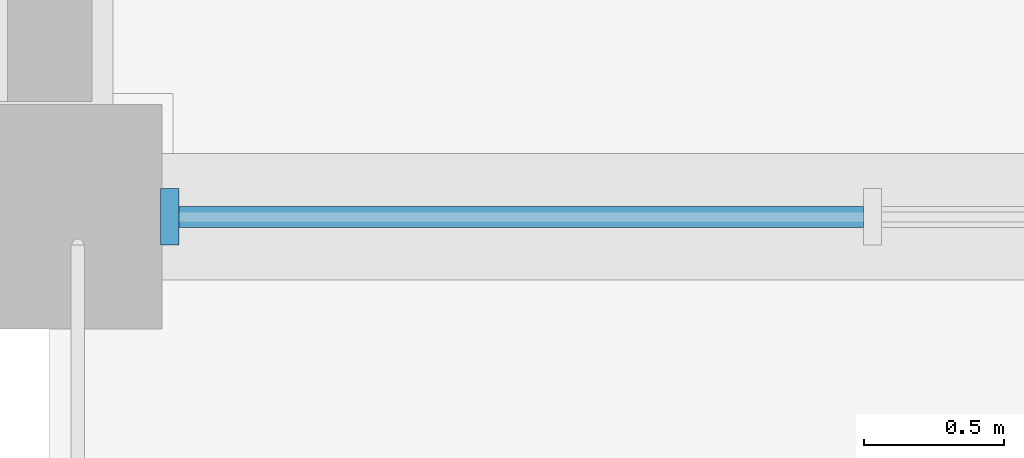
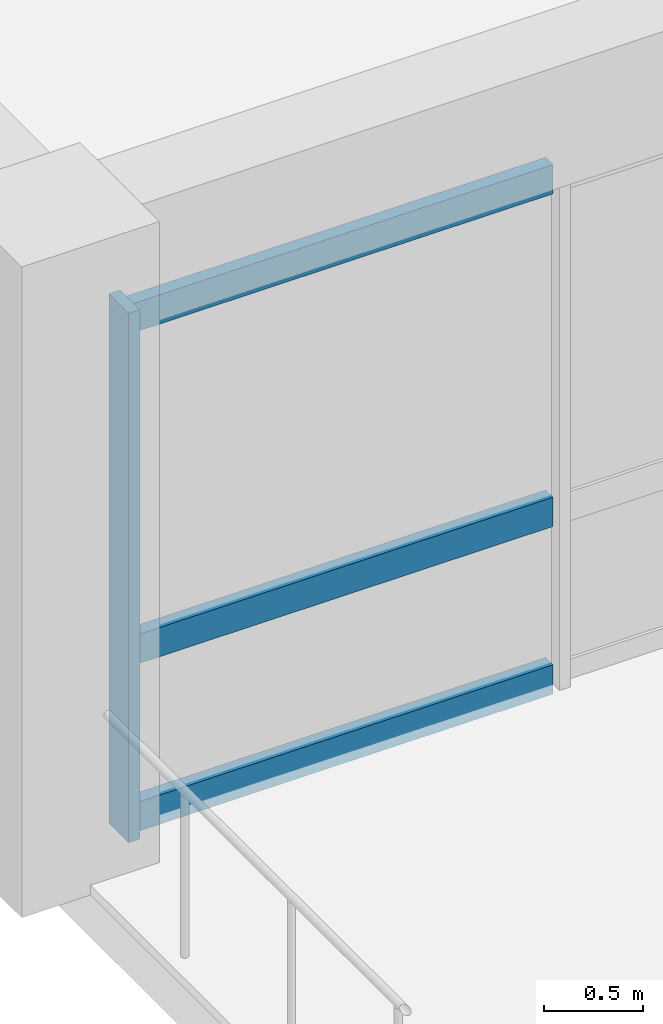
# One storey, part 21 of 49: 4 members, 1 element without a shape of its own.
"""IFC4 building model written with IfcOpenShell, lengths in metres."""

from ifc_helpers import new_model, si_unit, direction, frame, origin, origin_2d, place, context, subcontext, project, spatial, rectangle, extrude, material, material_profile, profile_set, type_object, element, aggregate, save


model = new_model("IFC4")

# Units and contexts
model_context = context("Model", 3, precision=1e-05, world=origin(), true_north=direction((0.0, 1.0)))
body_context = subcontext(model_context, "Body", "Model", "MODEL_VIEW")
ifc_project = project(units=[si_unit("LENGTHUNIT", "METRE"), si_unit("AREAUNIT", "SQUARE_METRE"), si_unit("VOLUMEUNIT", "CUBIC_METRE"), si_unit("PLANEANGLEUNIT", "RADIAN"), si_unit("MASSUNIT", "GRAM", prefix="KILO")], contexts=[model_context])

# Site, building, storey
site_placement = place(None, origin())
site = spatial("IfcSite", under=ifc_project, at=site_placement, CompositionType="ELEMENT")
building_placement = place(site_placement, origin())
building = spatial("IfcBuilding", under=site, at=building_placement, Name="Kemercrest Conservatory and Botanical Centre", CompositionType="ELEMENT")
storey_placement = place(building_placement, frame((0.0, 0.0, 13.199951171875)))
storey = spatial("IfcBuildingStorey", under=building, at=storey_placement, Name="L03", CompositionType="ELEMENT", Elevation=13.199951171875)

# Curtain wall, members
ifc_material_1 = material(Name="Thermally broken aluminium and triple low-e glazing", Category="aluminium")
curtain_wall_type = type_object("IfcCurtainWallType", Name="CW-03", PredefinedType="USERDEFINED", material=ifc_material_1)
curtain_wall_placement = place(storey_placement, origin())
curtain_wall = element("IfcCurtainWall", 1, at=curtain_wall_placement, inside=storey, type_object=curtain_wall_type, Name="Unitised curtain wall CW-03 (CW:L03:V4-062)", ObjectType="UNITISED CURTAIN WALL", PredefinedType="USERDEFINED")
ifc_material_2 = material(Name="Thermally broken anodized aluminium 6063-T6", Category="aluminium")
ifc_material_profile_1 = material_profile(ifc_material_2, rectangle(XDim=0.199951171875, YDim=0.06494140625, at=origin_2d()), Name="AL MULLION 65x200")
ifc_profile_set_1 = profile_set([ifc_material_profile_1], Name="Thermally broken anodized aluminium 6063-T6")
member_type_1 = type_object("IfcMemberType", Name="CW-M200", PredefinedType="MULLION", material=ifc_profile_set_1)
member_1_placement = place(storey_placement, frame((134.427490234375, 78.39990234375, 0.0), z_axis=(0.0, 0.0, 1.0), x_axis=(0.0, 1.0, 0.0)))
member_1 = element("IfcMember", 2, at=member_1_placement, type_object=member_type_1, Name="CW-03 mullion 1", PredefinedType="MULLION", context=body_context, shape_type="SweptSolid", body=[
    extrude(rectangle(XDim=0.199951171875, YDim=0.06494140625, at=origin_2d()), origin(), (0.0, 0.0, 1.0), 3.255126953125),
])
ifc_material_profile_2 = material_profile(ifc_material_2, rectangle(XDim=0.074951171875, YDim=0.179931640625, at=origin_2d()), Name="AL TRANSOM 75x180")
ifc_profile_set_2 = profile_set([ifc_material_profile_2], Name="Thermally broken anodized aluminium 6063-T6")
member_type_2 = type_object("IfcMemberType", Name="CW-T180", PredefinedType="USERDEFINED", material=ifc_profile_set_2)
member_2_placement = place(storey_placement, frame((134.4599609375, 78.39990234375, 0.090087890625), z_axis=(1.0, 0.0, 0.0), x_axis=(0.0, 1.0, 0.0)))
member_2 = element("IfcMember", 3, at=member_2_placement, type_object=member_type_2, Name="CW-03 transom 1.1", ObjectType="TRANSOM", PredefinedType="USERDEFINED", context=body_context, shape_type="SweptSolid", body=[
    extrude(rectangle(XDim=0.074951171875, YDim=0.179931640625, at=origin_2d()), origin(), (0.0, 0.0, 1.0), 2.439208984375),
])
member_3_placement = place(storey_placement, frame((134.4599609375, 78.39990234375, 1.1201171875), z_axis=(1.0, 0.0, 0.0), x_axis=(0.0, 1.0, 0.0)))
member_3 = element("IfcMember", 4, at=member_3_placement, type_object=member_type_2, Name="CW-03 transom 1.2", ObjectType="TRANSOM", PredefinedType="USERDEFINED", context=body_context, shape_type="SweptSolid", body=[
    extrude(rectangle(XDim=0.074951171875, YDim=0.179931640625, at=origin_2d()), origin(), (0.0, 0.0, 1.0), 2.439208984375),
])
member_4_placement = place(storey_placement, frame((134.4599609375, 78.39990234375, 3.1650390625), z_axis=(1.0, 0.0, 0.0), x_axis=(0.0, 1.0, 0.0)))
member_4 = element("IfcMember", 5, at=member_4_placement, type_object=member_type_2, Name="CW-03 transom 1.3", ObjectType="TRANSOM", PredefinedType="USERDEFINED", context=body_context, shape_type="SweptSolid", body=[
    extrude(rectangle(XDim=0.074951171875, YDim=0.179931640625, at=origin_2d()), origin(), (0.0, 0.0, 1.0), 2.439208984375),
])
aggregate(curtain_wall, [member_1, member_2, member_3, member_4])

save(model, "model.ifc")
